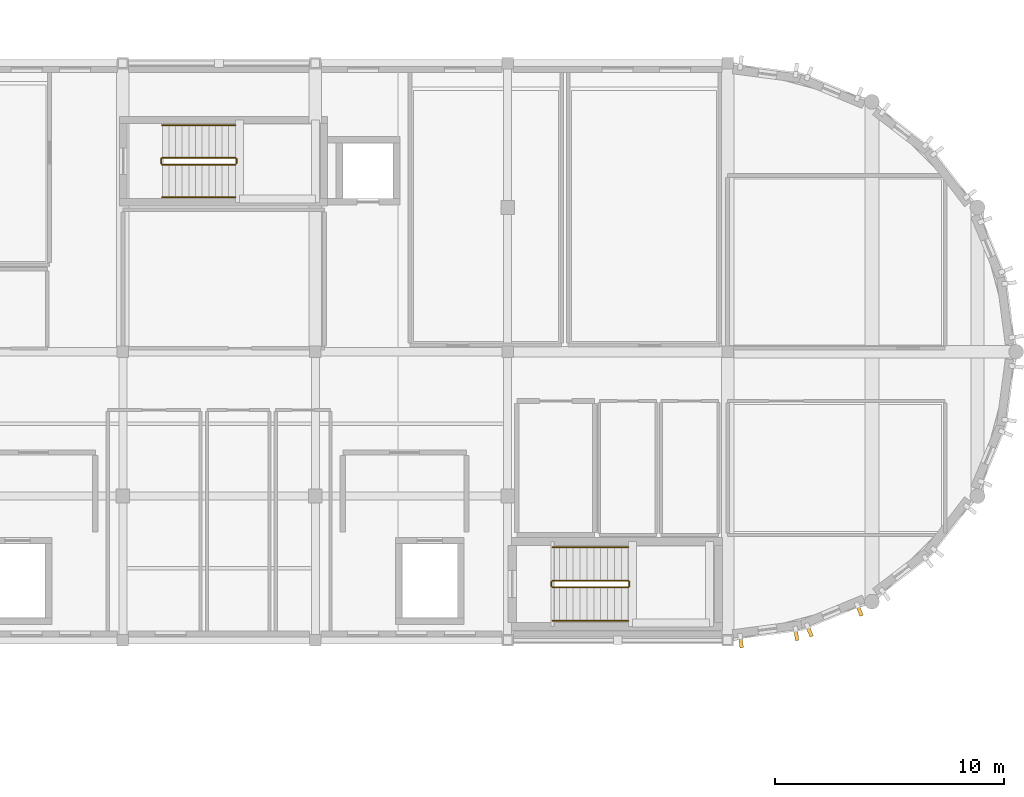
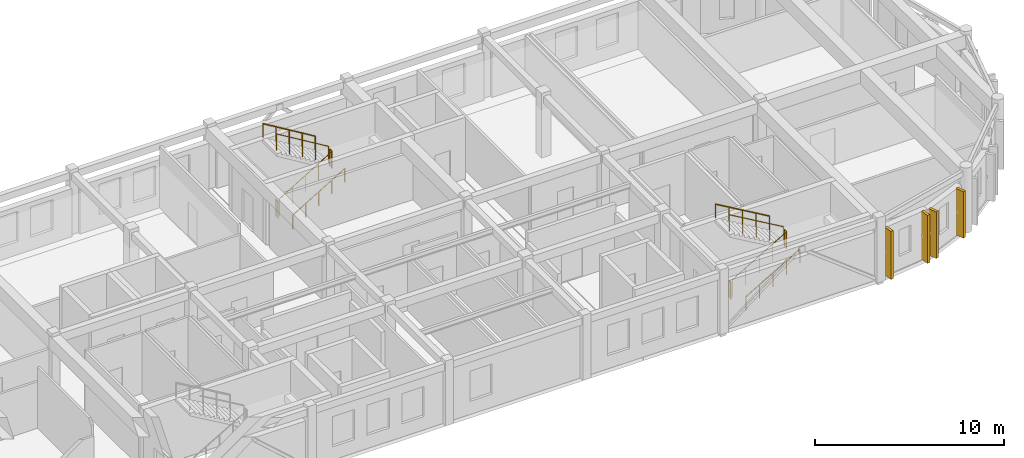
# One storey, part 11 of 12: 12 railings, 4 coverings.
"""IFC4 building model written with IfcOpenShell, lengths in metres."""

from ifc_helpers import new_model, si_unit, direction, frame, origin, origin_2d, place, context, subcontext, project, spatial, rectangle, circle, extrude, material, layer, layer_set, type_object, element, save


model = new_model("IFC4")

# Units and contexts
model_context = context("Model", 3, precision=1e-05, world=origin(), true_north=direction((0.0, 1.0)))
body_context = subcontext(model_context, "Body", "Model", "MODEL_VIEW")
ifc_project = project(units=[si_unit("LENGTHUNIT", "METRE"), si_unit("AREAUNIT", "SQUARE_METRE"), si_unit("VOLUMEUNIT", "CUBIC_METRE"), si_unit("PLANEANGLEUNIT", "RADIAN"), si_unit("MASSUNIT", "GRAM", prefix="KILO")], contexts=[model_context])

# Site, building, storey
site_placement = place(None, origin())
site = spatial("IfcSite", under=ifc_project, at=site_placement, CompositionType="ELEMENT")
building_placement = place(site_placement, origin())
building = spatial("IfcBuilding", under=site, at=building_placement, Name="Tarnavel Promenade Courthouse", CompositionType="ELEMENT")
storey_placement = place(building_placement, frame((0.0, 0.0, 27.0)))
storey = spatial("IfcBuildingStorey", under=building, at=storey_placement, Name="L07", CompositionType="ELEMENT", Elevation=27.0)

# Railings
ifc_material_1 = material(Name="Brushed Bronze Tubular Stair Handrail")
railing_type_1 = type_object("IfcRailingType", Name="Brushed Bronze Tubular Stair Handrail (RL-HND-0900)", PredefinedType="HANDRAIL", material=ifc_material_1)
railing_1_placement = place(storey_placement, frame((94.360107421875, 80.050048828125, 0.175048828125)))
element("IfcRailing", 1, at=railing_1_placement, inside=storey, type_object=railing_type_1, Name="L07 ST-02 stair handrail 1", PredefinedType="HANDRAIL", context=body_context, shape_type="SweptSolid", body=[
    extrude(circle(Radius=0.02392578125, at=origin_2d()), frame((0.0, 0.0, 0.8759765625), z_axis=(0.863760357493, 0.0, 0.503902812876), x_axis=(0.0, 1.0, 0.0)), (0.0, 0.0, 1.0), 3.8203125),
    extrude(circle(Radius=0.02099609375, at=origin_2d()), origin(), (0.0, 0.0, 1.0), 0.851806640625),
    extrude(circle(Radius=0.02099609375, at=origin_2d()), frame((0.824951171875, 0.0, 0.481201171875)), (0.0, 0.0, 1.0), 0.851806640625),
    extrude(circle(Radius=0.02099609375, at=origin_2d()), frame((1.64990234375, 0.0, 0.96240234375)), (0.0, 0.0, 1.0), 0.851806640625),
    extrude(circle(Radius=0.02099609375, at=origin_2d()), frame((2.474853515625, 0.0, 1.44384765625)), (0.0, 0.0, 1.0), 0.851806640625),
    extrude(circle(Radius=0.02099609375, at=origin_2d()), frame((3.2998046875, 0.0, 1.925048828125)), (0.0, 0.0, 1.0), 0.851806640625),
])
railing_2_placement = place(storey_placement, frame((97.659912109375, 83.27001953125, 2.27490234375)))
element("IfcRailing", 2, at=railing_2_placement, inside=storey, type_object=railing_type_1, Name="L07 ST-02 stair handrail 2", PredefinedType="HANDRAIL", context=body_context, shape_type="SweptSolid", body=[
    extrude(circle(Radius=0.02392578125, at=origin_2d()), frame((0.0, 0.0, 0.8759765625), z_axis=(-0.863760357493, 0.0, 0.503902812876), x_axis=(0.0, -1.0, 0.0)), (0.0, 0.0, 1.0), 3.8203125),
    extrude(circle(Radius=0.02099609375, at=origin_2d()), origin(), (0.0, 0.0, 1.0), 0.851806640625),
    extrude(circle(Radius=0.02099609375, at=origin_2d()), frame((-0.824951171875, 0.0, 0.481201171875)), (0.0, 0.0, 1.0), 0.851806640625),
    extrude(circle(Radius=0.02099609375, at=origin_2d()), frame((-1.64990234375, 0.0, 0.96240234375)), (0.0, 0.0, 1.0), 0.851806640625),
    extrude(circle(Radius=0.02099609375, at=origin_2d()), frame((-2.474853515625, 0.0, 1.44384765625)), (0.0, 0.0, 1.0), 0.851806640625),
    extrude(circle(Radius=0.02099609375, at=origin_2d()), frame((-3.2998046875, 0.0, 1.925048828125)), (0.0, 0.0, 1.0), 0.851806640625),
])
railing_3_placement = place(storey_placement, frame((77.320068359375, 98.550048828125, 0.175048828125)))
element("IfcRailing", 3, at=railing_3_placement, inside=storey, type_object=railing_type_1, Name="L07 ST-03 stair handrail 1", PredefinedType="HANDRAIL", context=body_context, shape_type="SweptSolid", body=[
    extrude(circle(Radius=0.02392578125, at=origin_2d()), frame((0.0, 0.0, 0.8759765625), z_axis=(0.856177665481, 0.0, 0.516681531633), x_axis=(0.0, 1.0, 0.0)), (0.0, 0.0, 1.0), 3.725830078125),
    extrude(circle(Radius=0.02099609375, at=origin_2d()), origin(), (0.0, 0.0, 1.0), 0.851806640625),
    extrude(circle(Radius=0.02099609375, at=origin_2d()), frame((0.79736328125, 0.0, 0.481201171875)), (0.0, 0.0, 1.0), 0.851806640625),
    extrude(circle(Radius=0.02099609375, at=origin_2d()), frame((1.594970703125, 0.0, 0.96240234375)), (0.0, 0.0, 1.0), 0.851806640625),
    extrude(circle(Radius=0.02099609375, at=origin_2d()), frame((2.392578125, 0.0, 1.44384765625)), (0.0, 0.0, 1.0), 0.851806640625),
    extrude(circle(Radius=0.02099609375, at=origin_2d()), frame((3.18994140625, 0.0, 1.925048828125)), (0.0, 0.0, 1.0), 0.851806640625),
])
railing_4_placement = place(storey_placement, frame((80.510009765625, 101.68994140625, 2.27490234375)))
element("IfcRailing", 4, at=railing_4_placement, inside=storey, type_object=railing_type_1, Name="L07 ST-03 stair handrail 2", PredefinedType="HANDRAIL", context=body_context, shape_type="SweptSolid", body=[
    extrude(circle(Radius=0.02392578125, at=origin_2d()), frame((0.0, 0.0, 0.8759765625), z_axis=(-0.856177665481, 0.0, 0.516681531633), x_axis=(0.0, -1.0, 0.0)), (0.0, 0.0, 1.0), 3.725830078125),
    extrude(circle(Radius=0.02099609375, at=origin_2d()), origin(), (0.0, 0.0, 1.0), 0.851806640625),
    extrude(circle(Radius=0.02099609375, at=origin_2d()), frame((-0.79736328125, 0.0, 0.481201171875)), (0.0, 0.0, 1.0), 0.851806640625),
    extrude(circle(Radius=0.02099609375, at=origin_2d()), frame((-1.594970703125, 0.0, 0.96240234375)), (0.0, 0.0, 1.0), 0.851806640625),
    extrude(circle(Radius=0.02099609375, at=origin_2d()), frame((-2.392578125, 0.0, 1.44384765625)), (0.0, 0.0, 1.0), 0.851806640625),
    extrude(circle(Radius=0.02099609375, at=origin_2d()), frame((-3.18994140625, 0.0, 1.925048828125)), (0.0, 0.0, 1.0), 0.851806640625),
])
ifc_material_2 = material(Name="Painted Architectural Steel Core Stair Guardrail", Category="steel")
railing_type_2 = type_object("IfcRailingType", Name="Painted Architectural Steel Core Stair Guardrail (RL-GRD-1100)", PredefinedType="GUARDRAIL", material=ifc_material_2)
railing_5_placement = place(storey_placement, frame((94.360107421875, 81.510009765625, 0.175048828125)))
element("IfcRailing", 5, at=railing_5_placement, inside=storey, type_object=railing_type_2, Name="L07 ST-02 stair guard 1", PredefinedType="GUARDRAIL", context=body_context, shape_type="SweptSolid", body=[
    extrude(circle(Radius=0.02392578125, at=origin_2d()), frame((0.0, 0.0, 1.076171875), z_axis=(0.863760357493, 0.0, 0.503902812876), x_axis=(0.0, 1.0, 0.0)), (0.0, 0.0, 1.0), 3.8203125),
    extrude(circle(Radius=0.02099609375, at=origin_2d()), origin(), (0.0, 0.0, 1.0), 1.052001953125),
    extrude(circle(Radius=0.02099609375, at=origin_2d()), frame((0.824951171875, 0.0, 0.481201171875)), (0.0, 0.0, 1.0), 1.052001953125),
    extrude(circle(Radius=0.02099609375, at=origin_2d()), frame((1.64990234375, 0.0, 0.96240234375)), (0.0, 0.0, 1.0), 1.052001953125),
    extrude(circle(Radius=0.02099609375, at=origin_2d()), frame((2.474853515625, 0.0, 1.44384765625)), (0.0, 0.0, 1.0), 1.052001953125),
    extrude(circle(Radius=0.02099609375, at=origin_2d()), frame((3.2998046875, 0.0, 1.925048828125)), (0.0, 0.0, 1.0), 1.052001953125),
])
railing_6_placement = place(storey_placement, frame((97.7099609375, 81.56005859375, 2.10009765625)))
element("IfcRailing", 6, at=railing_6_placement, inside=storey, type_object=railing_type_2, Name="L07 ST-02 stair guard 2", PredefinedType="GUARDRAIL", context=body_context, shape_type="SweptSolid", body=[
    extrude(circle(Radius=0.02392578125, at=origin_2d()), frame((0.0, 0.0, 1.076171875), z_axis=(0.0, 1.0, 0.0), x_axis=(-1.0, 0.0, 0.0)), (0.0, 0.0, 1.0), 0.199951171875),
    extrude(circle(Radius=0.02099609375, at=origin_2d()), origin(), (0.0, 0.0, 1.0), 1.052001953125),
    extrude(circle(Radius=0.02099609375, at=origin_2d()), frame((0.0, 0.199951171875, 0.0)), (0.0, 0.0, 1.0), 1.052001953125),
])
railing_7_placement = place(storey_placement, frame((97.659912109375, 81.81005859375, 2.27490234375)))
element("IfcRailing", 7, at=railing_7_placement, inside=storey, type_object=railing_type_2, Name="L07 ST-02 stair guard 3", PredefinedType="GUARDRAIL", context=body_context, shape_type="SweptSolid", body=[
    extrude(circle(Radius=0.02392578125, at=origin_2d()), frame((0.0, 0.0, 1.076171875), z_axis=(-0.863760357493, 0.0, 0.503902812876), x_axis=(0.0, -1.0, 0.0)), (0.0, 0.0, 1.0), 3.8203125),
    extrude(circle(Radius=0.02099609375, at=origin_2d()), origin(), (0.0, 0.0, 1.0), 1.052001953125),
    extrude(circle(Radius=0.02099609375, at=origin_2d()), frame((-0.824951171875, 0.0, 0.481201171875)), (0.0, 0.0, 1.0), 1.052001953125),
    extrude(circle(Radius=0.02099609375, at=origin_2d()), frame((-1.64990234375, 0.0, 0.96240234375)), (0.0, 0.0, 1.0), 1.052001953125),
    extrude(circle(Radius=0.02099609375, at=origin_2d()), frame((-2.474853515625, 0.0, 1.44384765625)), (0.0, 0.0, 1.0), 1.052001953125),
    extrude(circle(Radius=0.02099609375, at=origin_2d()), frame((-3.2998046875, 0.0, 1.925048828125)), (0.0, 0.0, 1.0), 1.052001953125),
])
railing_8_placement = place(storey_placement, frame((94.31005859375, 81.56005859375, 0.0)))
element("IfcRailing", 8, at=railing_8_placement, inside=storey, type_object=railing_type_2, Name="L07 ST-02 stair guard 4", PredefinedType="GUARDRAIL", context=body_context, shape_type="SweptSolid", body=[
    extrude(circle(Radius=0.02392578125, at=origin_2d()), frame((0.0, 0.0, 1.076171875), z_axis=(0.0, 1.0, 0.0), x_axis=(-1.0, 0.0, 0.0)), (0.0, 0.0, 1.0), 0.199951171875),
    extrude(circle(Radius=0.02099609375, at=origin_2d()), origin(), (0.0, 0.0, 1.0), 1.052001953125),
    extrude(circle(Radius=0.02099609375, at=origin_2d()), frame((0.0, 0.199951171875, 0.0)), (0.0, 0.0, 1.0), 1.052001953125),
])
railing_9_placement = place(storey_placement, frame((77.320068359375, 99.969970703125, 0.175048828125)))
element("IfcRailing", 9, at=railing_9_placement, inside=storey, type_object=railing_type_2, Name="L07 ST-03 stair guard 1", PredefinedType="GUARDRAIL", context=body_context, shape_type="SweptSolid", body=[
    extrude(circle(Radius=0.02392578125, at=origin_2d()), frame((0.0, 0.0, 1.076171875), z_axis=(0.856177665481, 0.0, 0.516681531633), x_axis=(0.0, 1.0, 0.0)), (0.0, 0.0, 1.0), 3.725830078125),
    extrude(circle(Radius=0.02099609375, at=origin_2d()), origin(), (0.0, 0.0, 1.0), 1.052001953125),
    extrude(circle(Radius=0.02099609375, at=origin_2d()), frame((0.79736328125, 0.0, 0.481201171875)), (0.0, 0.0, 1.0), 1.052001953125),
    extrude(circle(Radius=0.02099609375, at=origin_2d()), frame((1.594970703125, 0.0, 0.96240234375)), (0.0, 0.0, 1.0), 1.052001953125),
    extrude(circle(Radius=0.02099609375, at=origin_2d()), frame((2.392578125, 0.0, 1.44384765625)), (0.0, 0.0, 1.0), 1.052001953125),
    extrude(circle(Radius=0.02099609375, at=origin_2d()), frame((3.18994140625, 0.0, 1.925048828125)), (0.0, 0.0, 1.0), 1.052001953125),
])
railing_10_placement = place(storey_placement, frame((80.56005859375, 100.02001953125, 2.10009765625)))
element("IfcRailing", 10, at=railing_10_placement, inside=storey, type_object=railing_type_2, Name="L07 ST-03 stair guard 2", PredefinedType="GUARDRAIL", context=body_context, shape_type="SweptSolid", body=[
    extrude(circle(Radius=0.02392578125, at=origin_2d()), frame((0.0, 0.0, 1.076171875), z_axis=(0.0, 1.0, 0.0), x_axis=(-1.0, 0.0, 0.0)), (0.0, 0.0, 1.0), 0.199951171875),
    extrude(circle(Radius=0.02099609375, at=origin_2d()), origin(), (0.0, 0.0, 1.0), 1.052001953125),
    extrude(circle(Radius=0.02099609375, at=origin_2d()), frame((0.0, 0.199951171875, 0.0)), (0.0, 0.0, 1.0), 1.052001953125),
])
railing_11_placement = place(storey_placement, frame((80.510009765625, 100.27001953125, 2.27490234375)))
element("IfcRailing", 11, at=railing_11_placement, inside=storey, type_object=railing_type_2, Name="L07 ST-03 stair guard 3", PredefinedType="GUARDRAIL", context=body_context, shape_type="SweptSolid", body=[
    extrude(circle(Radius=0.02392578125, at=origin_2d()), frame((0.0, 0.0, 1.076171875), z_axis=(-0.856177665481, 0.0, 0.516681531633), x_axis=(0.0, -1.0, 0.0)), (0.0, 0.0, 1.0), 3.725830078125),
    extrude(circle(Radius=0.02099609375, at=origin_2d()), origin(), (0.0, 0.0, 1.0), 1.052001953125),
    extrude(circle(Radius=0.02099609375, at=origin_2d()), frame((-0.79736328125, 0.0, 0.481201171875)), (0.0, 0.0, 1.0), 1.052001953125),
    extrude(circle(Radius=0.02099609375, at=origin_2d()), frame((-1.594970703125, 0.0, 0.96240234375)), (0.0, 0.0, 1.0), 1.052001953125),
    extrude(circle(Radius=0.02099609375, at=origin_2d()), frame((-2.392578125, 0.0, 1.44384765625)), (0.0, 0.0, 1.0), 1.052001953125),
    extrude(circle(Radius=0.02099609375, at=origin_2d()), frame((-3.18994140625, 0.0, 1.925048828125)), (0.0, 0.0, 1.0), 1.052001953125),
])
railing_12_placement = place(storey_placement, frame((77.27001953125, 100.02001953125, 0.0)))
element("IfcRailing", 12, at=railing_12_placement, inside=storey, type_object=railing_type_2, Name="L07 ST-03 stair guard 4", PredefinedType="GUARDRAIL", context=body_context, shape_type="SweptSolid", body=[
    extrude(circle(Radius=0.02392578125, at=origin_2d()), frame((0.0, 0.0, 1.076171875), z_axis=(0.0, 1.0, 0.0), x_axis=(-1.0, 0.0, 0.0)), (0.0, 0.0, 1.0), 0.199951171875),
    extrude(circle(Radius=0.02099609375, at=origin_2d()), origin(), (0.0, 0.0, 1.0), 1.052001953125),
    extrude(circle(Radius=0.02099609375, at=origin_2d()), frame((0.0, 0.199951171875, 0.0)), (0.0, 0.0, 1.0), 1.052001953125),
])

# Coverings
ifc_material_3 = material(Name="Patinated Copper-Bronze Fluted Pier Cladding")
ifc_layer = layer(ifc_material_3, 0.52001953125)
ifc_layer_set = layer_set([ifc_layer], Name="Patinated Copper-Bronze Fluted Pier Cladding")
covering_type = type_object("IfcCoveringType", Name="Patinated Copper-Bronze Fluted Pier Cladding COV-PIER-520 (520 mm)", PredefinedType="CLADDING", material=ifc_layer_set)
for number, where, z_axis, x_axis, name in (
    (13, (102.58349609375, 79.135498046875, 0.0), (0.0, 0.0, 1.0), (0.991444861374, 0.13052619222, 0.0), "L07 E Drum Fluted Copper Pier 0247"),
    (14, (105.001708984375, 79.4541015625, 0.0), (0.0, 0.0, 1.0), (0.991444861374, 0.13052619222, 0.0), "L07 E Drum Fluted Copper Pier 0248"),
):
    element("IfcCovering", number, at=place(storey_placement, frame(where, z_axis=z_axis, x_axis=x_axis)), inside=storey, type_object=covering_type, Name=name, PredefinedType="CLADDING", context=body_context, shape_type="SweptSolid", body=[
        extrude(rectangle(XDim=0.159912109375, YDim=0.52001953125, at=origin_2d()), origin(), (0.0, 0.0, 1.0), 3.110107421875),
    ])
for number, where, z_axis, x_axis, name in (
    (15, (105.573486328125, 79.607177734375, 0.0), (0.0, 0.0, 1.0), (0.923879532511, 0.382683432365, 0.0), "L07 E Drum Fluted Copper Pier 0249"),
    (16, (107.7578125, 80.511962890625, 0.0), (0.0, 0.0, 1.0), (0.923879532511, 0.382683432365, 0.0), "L07 E Drum Fluted Copper Pier 0250"),
):
    element("IfcCovering", number, at=place(storey_placement, frame(where, z_axis=z_axis, x_axis=x_axis)), inside=storey, type_object=covering_type, Name=name, PredefinedType="CLADDING", context=body_context, shape_type="SweptSolid", body=[
        extrude(rectangle(XDim=0.159912109375, YDim=0.52001953125, at=origin_2d()), origin(), (0.0, 0.0, 1.0), 3.010009765625),
    ])

save(model, "model.ifc")
